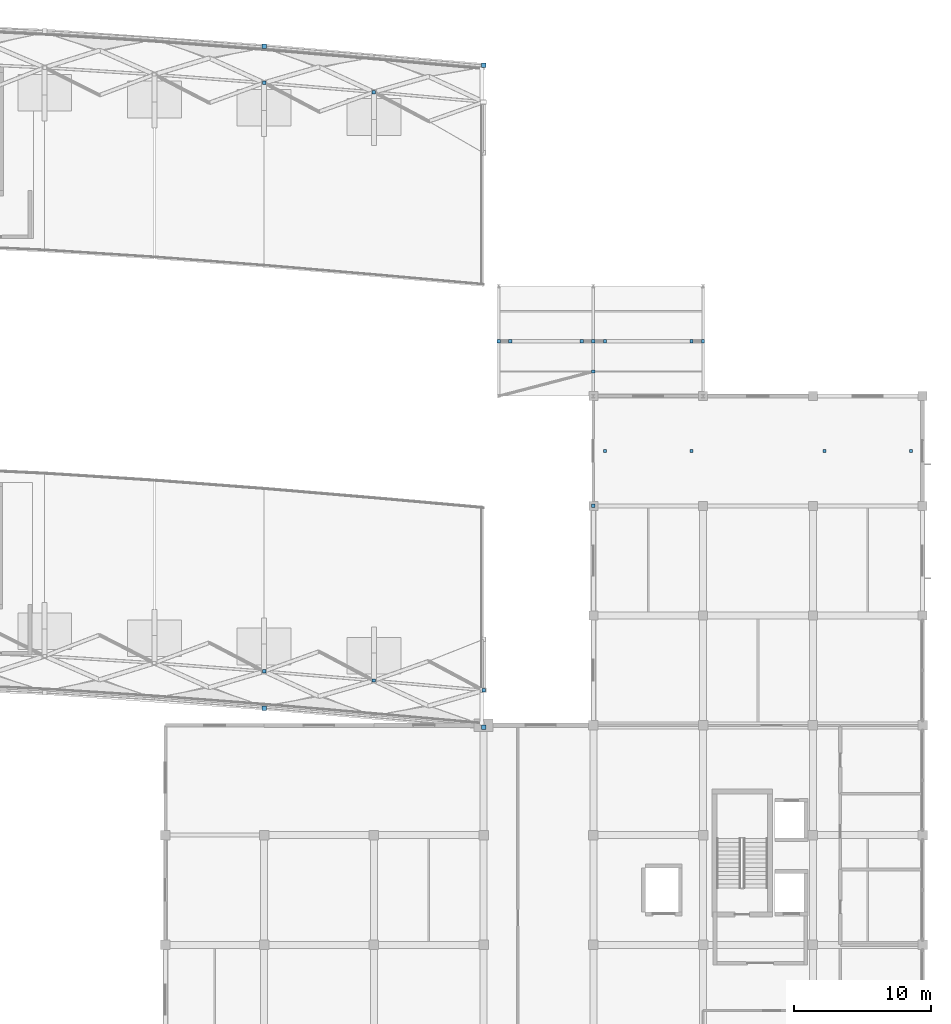
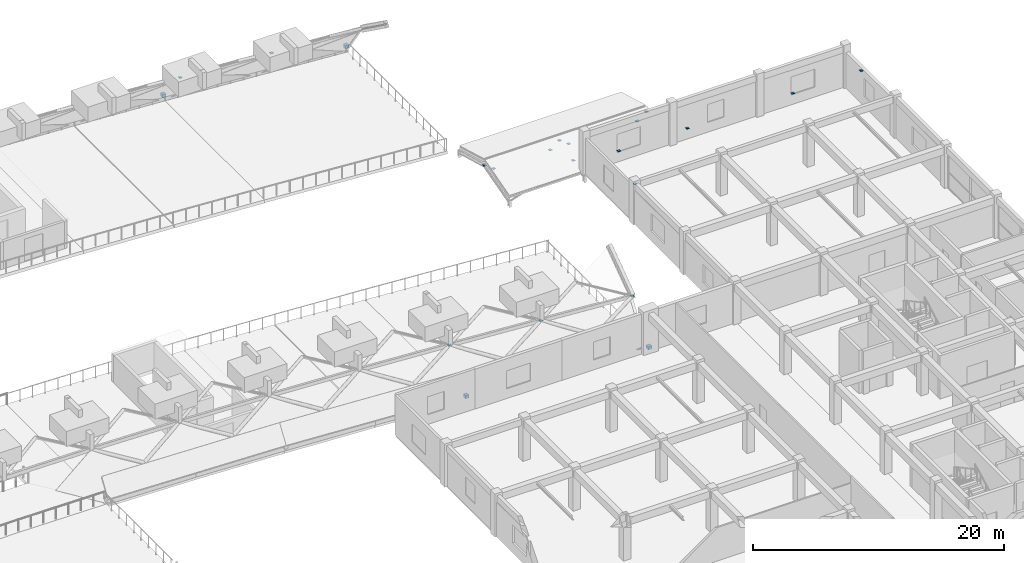
# One storey, part 58 of 67: 22 discrete accessories.
"""IFC4 building model written with IfcOpenShell, lengths in metres."""

import ifcopenshell
import ifcopenshell.guid

model = None  # the IFC model being written
_history = None  # IfcOwnerHistory: only IFC2X3 demands one
_inside = {}  # id of a spatial element -> (the spatial element, [elements in it])
_under = {}  # id of a project, library or spatial element -> (it, [spatial elements below it])
_declared = {}  # id of a project -> (the project, [libraries it declares])
_typed = {}  # id of a type object -> (the type object, [elements of that type])
_made_of = {}  # id of a material, layer set ... -> (it, [elements and type objects made of it])


def new_model(schema):
    """Start an empty IFC model of exactly this schema.

    Asked for "IFC4X3", IfcOpenShell would pick the latest addendum, in which some entities
    have other attributes; the version numbers below select the first issue.
    IFC2X3 requires an IfcOwnerHistory on every rooted entity: one is made here for all.
    """
    global model, _history
    if schema == "IFC4X3":
        model = ifcopenshell.file(schema_version=(4, 3, 0, 0))
    else:
        model = ifcopenshell.file(schema=schema)
    _inside.clear()
    _under.clear()
    _declared.clear()
    _typed.clear()
    _made_of.clear()
    _history = None
    if model.schema == "IFC2X3":
        org = make("IfcOrganization", Name="unknown")
        user = make(
            "IfcPersonAndOrganization",
            ThePerson=make("IfcPerson", FamilyName="unknown"),
            TheOrganization=org,
        )
        app = make(
            "IfcApplication",
            ApplicationDeveloper=org,
            Version="unknown",
            ApplicationFullName="unknown",
            ApplicationIdentifier="unknown",
        )
        _history = make(
            "IfcOwnerHistory",
            OwningUser=user,
            OwningApplication=app,
            ChangeAction="ADDED",
            CreationDate=0,
        )
    return model


def make(cls, **values):
    """One entity of the class cls with the attributes given. An attribute that is None is left unset."""
    return model.create_entity(
        cls, **{name: value for name, value in values.items() if value is not None}
    )


def rooted(cls, **values):
    """An entity with a GlobalId (a new one), such as an element, a storey or a relation."""
    return make(cls, GlobalId=ifcopenshell.guid.new(), OwnerHistory=_history, **values)


def si_unit(unit_type, name, prefix=None):
    """IfcSIUnit, for example si_unit("LENGTHUNIT", "METRE", prefix="MILLI")."""
    return make("IfcSIUnit", UnitType=unit_type, Prefix=prefix, Name=name)


def assignment(units):
    """IfcUnitAssignment: the units of a project."""
    return None if units is None else make("IfcUnitAssignment", Units=units)


def point(xyz):
    """IfcCartesianPoint."""
    return None if xyz is None else make("IfcCartesianPoint", Coordinates=xyz)


def direction(xyz):
    """IfcDirection."""
    return None if xyz is None else make("IfcDirection", DirectionRatios=xyz)


def frame(location, z_axis=None, x_axis=None):
    """IfcAxis2Placement3D, a coordinate frame: its origin and axes. An axis left out is left unset."""
    return make(
        "IfcAxis2Placement3D",
        Location=point(location),
        Axis=direction(z_axis),
        RefDirection=direction(x_axis),
    )


def frame_2d(location, x_axis=None):
    """IfcAxis2Placement2D, a coordinate frame in the plane: its origin and x axis."""
    return make(
        "IfcAxis2Placement2D", Location=point(location), RefDirection=direction(x_axis)
    )


def origin():
    """The frame at (0, 0, 0) with its axes left unset."""
    return frame((0.0, 0.0, 0.0))


def origin_2d():
    """The frame at (0, 0) in the plane with its x axis left unset."""
    return frame_2d((0.0, 0.0))


def place(relative_to, where):
    """IfcLocalPlacement: puts the frame where relative to a parent placement (None: the world)."""
    return make(
        "IfcLocalPlacement", PlacementRelTo=relative_to, RelativePlacement=where
    )


def context(
    kind, dimensions, precision=None, world=None, true_north=None, identifier=None
):
    """IfcGeometricRepresentationContext, for example the 3D "Model" context."""
    return make(
        "IfcGeometricRepresentationContext",
        ContextIdentifier=identifier,
        ContextType=kind,
        CoordinateSpaceDimension=dimensions,
        Precision=precision,
        WorldCoordinateSystem=world,
        TrueNorth=true_north,
    )


def subcontext(parent, identifier, kind, view, scale=None):
    """IfcGeometricRepresentationSubContext, for example "Body" below "Model"."""
    return make(
        "IfcGeometricRepresentationSubContext",
        ContextIdentifier=identifier,
        ContextType=kind,
        ParentContext=parent,
        TargetScale=scale,
        TargetView=view,
    )


def project(units=None, contexts=None):
    """IfcProject with its units and contexts."""
    return rooted(
        "IfcProject",
        Name="project",
        RepresentationContexts=contexts,
        UnitsInContext=assignment(units),
    )


def spatial(cls, under=None, at=None, **own):
    """A site, building, storey or space (cls), placed at a placement, below another one or the project."""
    s = rooted(cls, ObjectPlacement=at, **own)
    if under is not None:
        _under.setdefault(under.id(), (under, []))[1].append(s)
    return s


def profile(cls, at=None, kind="AREA", **sizes):
    """A parametric profile (cls). Its sizes go by their IFC names, for example OverallWidth=200.0."""
    return make(cls, ProfileType=kind, Position=at, **sizes)


def rectangle(**sizes):
    """IfcRectangleProfileDef."""
    return profile("IfcRectangleProfileDef", **sizes)


def extrude(swept, where, along, depth):
    """IfcExtrudedAreaSolid: the profile swept, set in the frame where, extruded along a direction by depth."""
    return make(
        "IfcExtrudedAreaSolid",
        SweptArea=swept,
        Position=where,
        ExtrudedDirection=direction(along),
        Depth=depth,
    )


def shape(context_of_items, identifier, shape_type, items):
    """IfcShapeRepresentation: the items that make up one representation, for example the "Body"."""
    return make(
        "IfcShapeRepresentation",
        ContextOfItems=context_of_items,
        RepresentationIdentifier=identifier,
        RepresentationType=shape_type,
        Items=items,
    )


def material(Name=None, Category=None):
    """IfcMaterial."""
    return make("IfcMaterial", Name=Name, Category=Category)


def made_of(thing, what):
    """Note that an element or type object is made of a material, layer set ...; save() writes the relation."""
    if what is not None:
        _made_of.setdefault(what.id(), (what, []))[1].append(thing)
    return thing


def type_object(cls, material=None, **own):
    """A type object (cls), such as IfcWallType, which elements share."""
    return made_of(rooted(cls, **own), material)


def element(
    cls,
    number,
    at=None,
    inside=None,
    cuts=None,
    type_object=None,
    material=None,
    context=None,
    identifier="Body",
    shape_type=None,
    held_by="IfcProductDefinitionShape",
    body=None,
    shapes=None,
    **own,
):
    """One element of the class cls, such as IfcWall. Its Tag is "e" and its number.

    at: its placement. inside: the storey or other place that contains it. cuts: it is an
    opening in that element (IfcRelVoidsElement). A single representation is given by context,
    identifier, shape_type and body (its items); several are given by shapes. held_by: the class
    of the entity that holds the representations. save() writes the other relations.
    """
    e = rooted(cls, Tag="e%d" % number, ObjectPlacement=at, **own)
    if body is not None:
        shapes = [shape(context, identifier, shape_type, body)]
    if shapes is not None:
        e.Representation = make(held_by, Representations=shapes)
    if inside is not None:
        _inside.setdefault(inside.id(), (inside, []))[1].append(e)
    if cuts is not None:
        rooted(
            "IfcRelVoidsElement", RelatingBuildingElement=cuts, RelatedOpeningElement=e
        )
    if type_object is not None:
        _typed.setdefault(type_object.id(), (type_object, []))[1].append(e)
    return made_of(e, material)


def aggregate(whole, parts):
    """IfcRelAggregates: a whole, such as a stair, and the parts it consists of."""
    return rooted("IfcRelAggregates", RelatingObject=whole, RelatedObjects=parts)


def save(model, path):
    """Write the relations noted so far, then the file.

    IfcRelAggregates (storeys below a building ...), IfcRelContainedInSpatialStructure (elements
    in a storey), IfcRelDefinesByType, IfcRelAssociatesMaterial and IfcRelDeclares: one each for
    every whole, place, type object, material and project.
    """
    for whole, parts in _under.values():
        aggregate(whole, parts)
    for where, things in _inside.values():
        rooted(
            "IfcRelContainedInSpatialStructure",
            RelatedElements=things,
            RelatingStructure=where,
        )
    for kind, things in _typed.values():
        rooted("IfcRelDefinesByType", RelatedObjects=things, RelatingType=kind)
    for what, things in _made_of.values():
        rooted("IfcRelAssociatesMaterial", RelatedObjects=things, RelatingMaterial=what)
    for by, libraries in _declared.values():
        rooted("IfcRelDeclares", RelatingContext=by, RelatedDefinitions=libraries)
    model.write(path)


model = new_model("IFC4")

# Units and contexts
model_context = context("Model", 3, precision=1e-05, world=origin(), true_north=direction((0.0, 1.0)))
body_context = subcontext(model_context, "Body", "Model", "MODEL_VIEW")
ifc_project = project(units=[si_unit("LENGTHUNIT", "METRE"), si_unit("AREAUNIT", "SQUARE_METRE"), si_unit("VOLUMEUNIT", "CUBIC_METRE"), si_unit("PLANEANGLEUNIT", "RADIAN"), si_unit("MASSUNIT", "GRAM", prefix="KILO")], contexts=[model_context])

# Site, building, storey
site_placement = place(None, origin())
site = spatial("IfcSite", under=ifc_project, at=site_placement, CompositionType="ELEMENT")
building_placement = place(site_placement, origin())
building = spatial("IfcBuilding", under=site, at=building_placement, Name="Kenh Van Central Station", CompositionType="ELEMENT")
storey_placement = place(building_placement, frame((0.0, 0.0, 10.800048828125)))
storey = spatial("IfcBuildingStorey", under=building, at=storey_placement, Name="L02", CompositionType="ELEMENT", Elevation=10.800048828125)

# Discrete accessories
ifc_material_1 = material(Name="White fluoropolymer structural steel S355", Category="steel")
discrete_accessory_type_1 = type_object("IfcDiscreteAccessoryType", Name="ACC-BRKT-STL", PredefinedType="BRACKET", material=ifc_material_1)
for number, where, z_axis, x_axis, name in (
    (1, (128.0, 65.25830078125, 0.2900390625), (0.0, 0.0, 1.0), (1.0, 0.0, 0.0), "Barrel curb bracket 09-2"),
    (2, (128.0, 113.518310546875, 0.2900390625), (0.0, 0.0, 1.0), (1.0, 0.0, 0.0), "Barrel curb bracket 10-2"),
    (3, (144.0, 63.8701171875, 0.2900390625), (0.0, 0.0, 1.0), (1.0, 0.0, 0.0), "Barrel curb bracket 11-2"),
    (4, (144.0, 112.1298828125, 0.2900390625), (0.0, 0.0, 1.0), (1.0, 0.0, 0.0), "Barrel curb bracket 12-2"),
):
    element("IfcDiscreteAccessory", number, at=place(storey_placement, frame(where, z_axis=z_axis, x_axis=x_axis)), inside=storey, type_object=discrete_accessory_type_1, Name=name, PredefinedType="BRACKET", context=body_context, shape_type="SweptSolid", body=[
        extrude(rectangle(XDim=0.320068359375, YDim=0.340087890625, at=origin_2d()), origin(), (0.0, 0.0, 1.0), 0.300048828125),
    ])
ifc_material_2 = material(Name="Structural steel S355JR", Category="steel")
discrete_accessory_type_2 = type_object("IfcDiscreteAccessoryType", Name="ACC-END-NODE", PredefinedType="BRACKET", material=ifc_material_2)
for number, where, z_axis, x_axis, name in (
    (5, (152.0, 80.0, 3.706298828125), (0.0, 0.0, 1.0), (1.0, 0.0, 0.0), "L02 brace end connection node plate 0387"),
    (6, (152.85009765625, 84.0, 4.186279296875), (0.0, 0.0, 1.0), (1.0, 0.0, 0.0), "L02 brace end connection node plate 0389"),
    (7, (175.14990234375, 84.0, 4.186279296875), (0.0, 0.0, 1.0), (1.0, 0.0, 0.0), "L02 brace end connection node plate 0390"),
    (8, (159.14990234375, 84.0, 4.186279296875), (0.0, 0.0, 1.0), (1.0, 0.0, 0.0), "L02 brace end connection node plate 0392"),
    (9, (168.85009765625, 84.0, 4.186279296875), (0.0, 0.0, 1.0), (1.0, 0.0, 0.0), "L02 brace end connection node plate 0394"),
    (10, (152.0, 89.800048828125, 0.048095703125), (0.0, 0.0, 1.0), (1.0, 0.0, 0.0), "L02 brace end connection node plate 0437"),
    (11, (145.949951171875, 92.0, 0.033203125), (0.0, 0.0, 1.0), (1.0, 0.0, 0.0), "L02 brace end connection node plate 0438"),
    (12, (159.14990234375, 92.0, 0.033203125), (0.0, 0.0, 1.0), (1.0, 0.0, 0.0), "L02 brace end connection node plate 0439"),
    (13, (145.10009765625, 92.0, 0.653076171875), (0.0, 0.0, 1.0), (1.0, 0.0, 0.0), "L02 brace end connection node plate 0440"),
    (14, (151.14990234375, 92.0, 0.033203125), (0.0, 0.0, 1.0), (1.0, 0.0, 0.0), "L02 brace end connection node plate 0441"),
    (15, (152.0, 92.0, 0.653076171875), (0.0, 0.0, 1.0), (1.0, 0.0, 0.0), "L02 brace end connection node plate 0442"),
    (16, (152.85009765625, 92.0, 0.033203125), (0.0, 0.0, 1.0), (1.0, 0.0, 0.0), "L02 brace end connection node plate 0443"),
    (17, (160.0, 92.0, 0.653076171875), (0.0, 0.0, 1.0), (1.0, 0.0, 0.0), "L02 brace end connection node plate 0444"),
):
    element("IfcDiscreteAccessory", number, at=place(storey_placement, frame(where, z_axis=z_axis, x_axis=x_axis)), inside=storey, type_object=discrete_accessory_type_2, Name=name, PredefinedType="BRACKET", context=body_context, shape_type="SweptSolid", body=[
        extrude(rectangle(XDim=0.239990234375, YDim=0.239990234375, at=origin_2d()), origin(), (0.0, 0.0, 1.0), 0.02490234375),
    ])
discrete_accessory_type_3 = type_object("IfcDiscreteAccessoryType", Name="ACC-END-NODE-VLT", PredefinedType="BRACKET", material=ifc_material_1)
for number, where, z_axis, x_axis, name in (
    (18, (128.0, 67.94091796875, 3.74951171875), (0.0, 0.0, 1.0), (1.0, 0.0, 0.0), "L02 brace end connection node plate 0252"),
    (19, (128.0, 110.8359375, 3.74951171875), (0.0, 0.0, 1.0), (1.0, 0.0, 0.0), "L02 brace end connection node plate 0271"),
    (20, (136.0, 67.264404296875, 3.74951171875), (0.0, 0.0, 1.0), (1.0, 0.0, 0.0), "L02 brace end connection node plate 0273"),
    (21, (136.0, 110.15966796875, 3.74951171875), (0.0, 0.0, 1.0), (1.0, 0.0, 0.0), "L02 brace end connection node plate 0292"),
    (22, (144.0, 66.552490234375, 3.74951171875), (0.0, 0.0, 1.0), (1.0, 0.0, 0.0), "L02 brace end connection node plate 0294"),
):
    element("IfcDiscreteAccessory", number, at=place(storey_placement, frame(where, z_axis=z_axis, x_axis=x_axis)), inside=storey, type_object=discrete_accessory_type_3, Name=name, PredefinedType="BRACKET", context=body_context, shape_type="SweptSolid", body=[
        extrude(rectangle(XDim=0.239990234375, YDim=0.239990234375, at=origin_2d()), origin(), (0.0, 0.0, 1.0), 0.02490234375),
    ])

save(model, "model.ifc")
